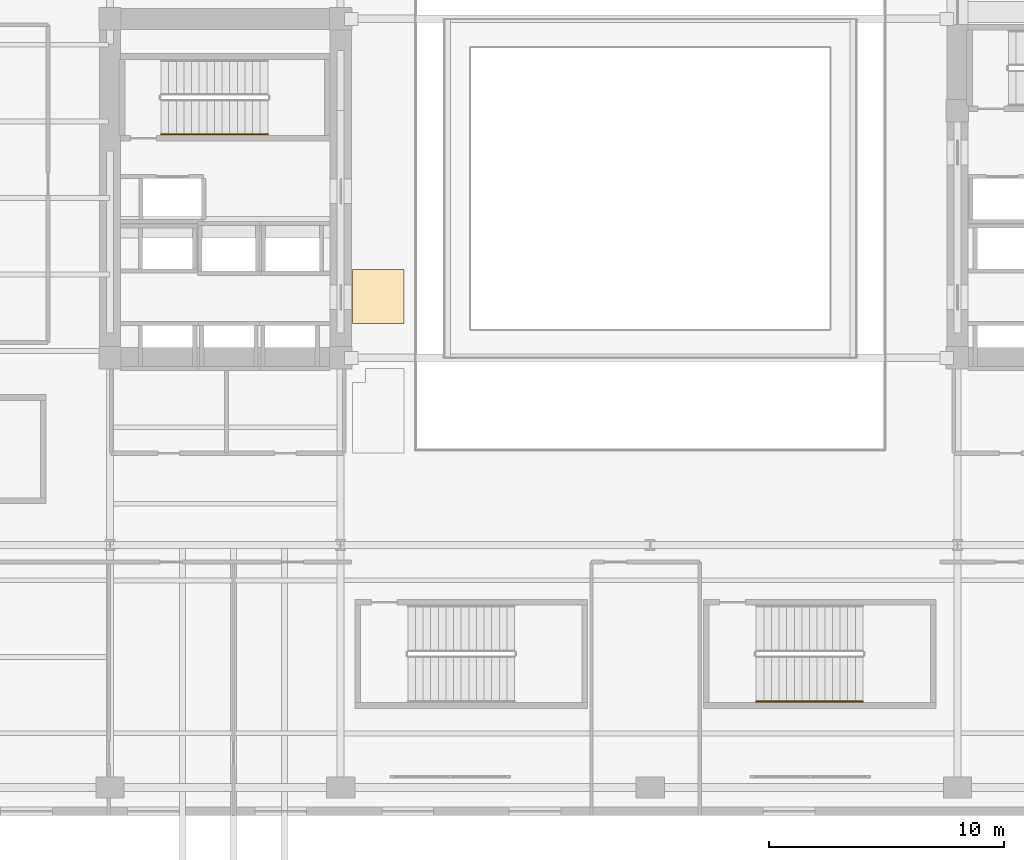
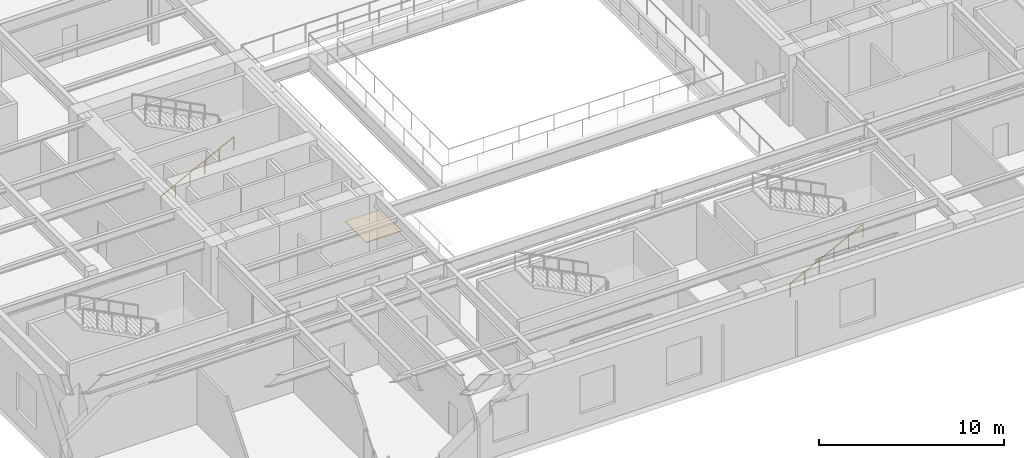
# One storey, part 16 of 24: 2 railings, 1 covering.
"""IFC4 building model written with IfcOpenShell, lengths in metres."""

from ifc_helpers import new_model, si_unit, direction, frame, origin, origin_2d, place, context, subcontext, project, spatial, polyline, circle, outline, extrude, material, layer, layer_set, type_object, element, save


model = new_model("IFC4")

# Units and contexts
model_context = context("Model", 3, precision=1e-05, world=origin(), true_north=direction((0.0, 1.0)))
body_context = subcontext(model_context, "Body", "Model", "MODEL_VIEW")
ifc_project = project(units=[si_unit("LENGTHUNIT", "METRE"), si_unit("AREAUNIT", "SQUARE_METRE"), si_unit("VOLUMEUNIT", "CUBIC_METRE"), si_unit("PLANEANGLEUNIT", "RADIAN"), si_unit("MASSUNIT", "GRAM", prefix="KILO")], contexts=[model_context])

# Site, building, storey
site_placement = place(None, origin())
site = spatial("IfcSite", under=ifc_project, at=site_placement, CompositionType="ELEMENT")
building_placement = place(site_placement, origin())
building = spatial("IfcBuilding", under=site, at=building_placement, Name="Kolvaren Arena Tower", CompositionType="ELEMENT")
storey_placement = place(building_placement, frame((0.0, 0.0, 23.0)))
storey = spatial("IfcBuildingStorey", under=building, at=storey_placement, Name="L04", CompositionType="ELEMENT", Elevation=23.0)

# Covering
ifc_material_1 = material(Name="Polished granite terrazzo flooring", Category="masonry")
ifc_layer = layer(ifc_material_1, 0.034912109375)
ifc_layer_set = layer_set([ifc_layer], Name="Polished granite terrazzo flooring")
covering_type = type_object("IfcCoveringType", Name="FLOR-TRZ-1", PredefinedType="FLOORING", material=ifc_layer_set)
covering_placement = place(storey_placement, origin())
element("IfcCovering", 1, at=covering_placement, inside=storey, type_object=covering_type, Name="Floor Finish (L04)", PredefinedType="FLOORING", context=body_context, shape_type="SweptSolid", body=[
    extrude(outline(polyline([(24.85009765625, 20.89990234375), (24.85009765625, 23.199951171875), (27.050048828125, 23.199951171875), (27.050048828125, 20.89990234375), (24.85009765625, 20.89990234375)])), origin(), (0.0, 0.0, 1.0), 0.034912109375),
])

# Railings
ifc_material_2 = material(Name="Brushed stainless steel handrail", Category="steel")
railing_type = type_object("IfcRailingType", Name="HRAIL-900", PredefinedType="HANDRAIL", material=ifc_material_2)
railing_1_placement = place(storey_placement, frame((16.719970703125, 28.949951171875, 0.166748046875)))
element("IfcRailing", 2, at=railing_1_placement, inside=storey, type_object=railing_type, Name="L04 ST-W1 stair handrail 1", PredefinedType="HANDRAIL", context=body_context, shape_type="SweptSolid", body=[
    extrude(circle(Radius=0.02392578125, at=origin_2d()), frame((0.0, 0.0, 0.8759765625), z_axis=(0.889257211316, 0.0, 0.457407490234), x_axis=(0.0, 1.0, 0.0)), (0.0, 0.0, 1.0), 5.10107421875),
    extrude(circle(Radius=0.02099609375, at=origin_2d()), origin(), (0.0, 0.0, 1.0), 0.851806640625),
    extrude(circle(Radius=0.02099609375, at=origin_2d()), frame((0.9072265625, 0.0, 0.466552734375)), (0.0, 0.0, 1.0), 0.851806640625),
    extrude(circle(Radius=0.02099609375, at=origin_2d()), frame((1.814453125, 0.0, 0.933349609375)), (0.0, 0.0, 1.0), 0.851806640625),
    extrude(circle(Radius=0.02099609375, at=origin_2d()), frame((2.7216796875, 0.0, 1.39990234375)), (0.0, 0.0, 1.0), 0.851806640625),
    extrude(circle(Radius=0.02099609375, at=origin_2d()), frame((3.62890625, 0.0, 1.86669921875)), (0.0, 0.0, 1.0), 0.851806640625),
    extrude(circle(Radius=0.02099609375, at=origin_2d()), frame((4.5361328125, 0.0, 2.333251953125)), (0.0, 0.0, 1.0), 0.851806640625),
])
railing_2_placement = place(storey_placement, frame((42.0, 4.85009765625, 0.166748046875)))
element("IfcRailing", 3, at=railing_2_placement, inside=storey, type_object=railing_type, Name="L04 ST-A3 stair handrail 1", PredefinedType="HANDRAIL", context=body_context, shape_type="SweptSolid", body=[
    extrude(circle(Radius=0.02392578125, at=origin_2d()), frame((0.0, 0.0, 0.8759765625), z_axis=(0.889247197123, 0.0, 0.45742695855), x_axis=(0.0, 1.0, 0.0)), (0.0, 0.0, 1.0), 5.100830078125),
    extrude(circle(Radius=0.02099609375, at=origin_2d()), origin(), (0.0, 0.0, 1.0), 0.851806640625),
    extrude(circle(Radius=0.02099609375, at=origin_2d()), frame((0.9072265625, 0.0, 0.466552734375)), (0.0, 0.0, 1.0), 0.851806640625),
    extrude(circle(Radius=0.02099609375, at=origin_2d()), frame((1.814453125, 0.0, 0.933349609375)), (0.0, 0.0, 1.0), 0.851806640625),
    extrude(circle(Radius=0.02099609375, at=origin_2d()), frame((2.721435546875, 0.0, 1.39990234375)), (0.0, 0.0, 1.0), 0.851806640625),
    extrude(circle(Radius=0.02099609375, at=origin_2d()), frame((3.628662109375, 0.0, 1.86669921875)), (0.0, 0.0, 1.0), 0.851806640625),
    extrude(circle(Radius=0.02099609375, at=origin_2d()), frame((4.535888671875, 0.0, 2.333251953125)), (0.0, 0.0, 1.0), 0.851806640625),
])

save(model, "model.ifc")
